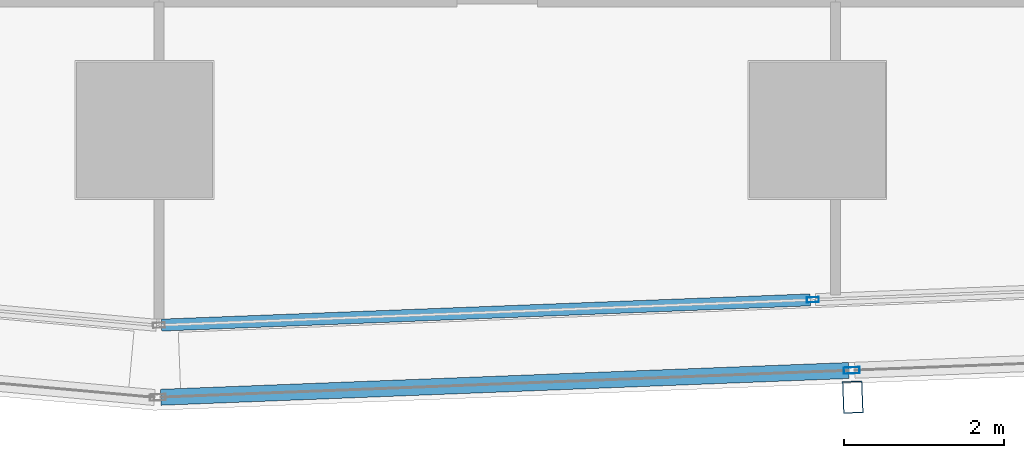
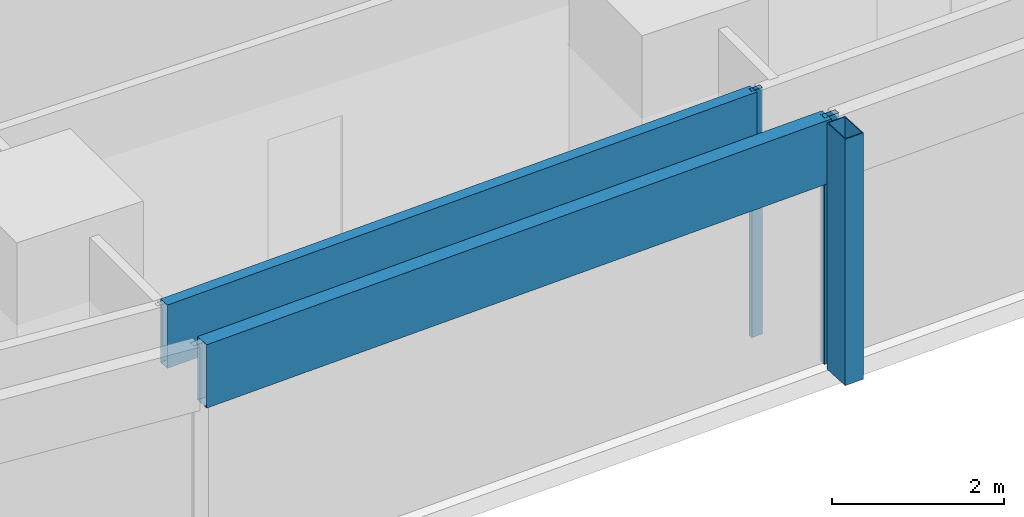
# One storey, part 6 of 40: 5 members, 2 elements without a shape of their own.
"""IFC4 building model written with IfcOpenShell, lengths in metres."""

import ifcopenshell
import ifcopenshell.guid

model = None  # the IFC model being written
_history = None  # IfcOwnerHistory: only IFC2X3 demands one
_inside = {}  # id of a spatial element -> (the spatial element, [elements in it])
_under = {}  # id of a project, library or spatial element -> (it, [spatial elements below it])
_declared = {}  # id of a project -> (the project, [libraries it declares])
_typed = {}  # id of a type object -> (the type object, [elements of that type])
_made_of = {}  # id of a material, layer set ... -> (it, [elements and type objects made of it])


def new_model(schema):
    """Start an empty IFC model of exactly this schema.

    Asked for "IFC4X3", IfcOpenShell would pick the latest addendum, in which some entities
    have other attributes; the version numbers below select the first issue.
    IFC2X3 requires an IfcOwnerHistory on every rooted entity: one is made here for all.
    """
    global model, _history
    if schema == "IFC4X3":
        model = ifcopenshell.file(schema_version=(4, 3, 0, 0))
    else:
        model = ifcopenshell.file(schema=schema)
    _inside.clear()
    _under.clear()
    _declared.clear()
    _typed.clear()
    _made_of.clear()
    _history = None
    if model.schema == "IFC2X3":
        org = make("IfcOrganization", Name="unknown")
        user = make(
            "IfcPersonAndOrganization",
            ThePerson=make("IfcPerson", FamilyName="unknown"),
            TheOrganization=org,
        )
        app = make(
            "IfcApplication",
            ApplicationDeveloper=org,
            Version="unknown",
            ApplicationFullName="unknown",
            ApplicationIdentifier="unknown",
        )
        _history = make(
            "IfcOwnerHistory",
            OwningUser=user,
            OwningApplication=app,
            ChangeAction="ADDED",
            CreationDate=0,
        )
    return model


def make(cls, **values):
    """One entity of the class cls with the attributes given. An attribute that is None is left unset."""
    return model.create_entity(
        cls, **{name: value for name, value in values.items() if value is not None}
    )


def rooted(cls, **values):
    """An entity with a GlobalId (a new one), such as an element, a storey or a relation."""
    return make(cls, GlobalId=ifcopenshell.guid.new(), OwnerHistory=_history, **values)


def si_unit(unit_type, name, prefix=None):
    """IfcSIUnit, for example si_unit("LENGTHUNIT", "METRE", prefix="MILLI")."""
    return make("IfcSIUnit", UnitType=unit_type, Prefix=prefix, Name=name)


def assignment(units):
    """IfcUnitAssignment: the units of a project."""
    return None if units is None else make("IfcUnitAssignment", Units=units)


def point(xyz):
    """IfcCartesianPoint."""
    return None if xyz is None else make("IfcCartesianPoint", Coordinates=xyz)


def direction(xyz):
    """IfcDirection."""
    return None if xyz is None else make("IfcDirection", DirectionRatios=xyz)


def frame(location, z_axis=None, x_axis=None):
    """IfcAxis2Placement3D, a coordinate frame: its origin and axes. An axis left out is left unset."""
    return make(
        "IfcAxis2Placement3D",
        Location=point(location),
        Axis=direction(z_axis),
        RefDirection=direction(x_axis),
    )


def frame_2d(location, x_axis=None):
    """IfcAxis2Placement2D, a coordinate frame in the plane: its origin and x axis."""
    return make(
        "IfcAxis2Placement2D", Location=point(location), RefDirection=direction(x_axis)
    )


def origin():
    """The frame at (0, 0, 0) with its axes left unset."""
    return frame((0.0, 0.0, 0.0))


def origin_2d():
    """The frame at (0, 0) in the plane with its x axis left unset."""
    return frame_2d((0.0, 0.0))


def place(relative_to, where):
    """IfcLocalPlacement: puts the frame where relative to a parent placement (None: the world)."""
    return make(
        "IfcLocalPlacement", PlacementRelTo=relative_to, RelativePlacement=where
    )


def context(
    kind, dimensions, precision=None, world=None, true_north=None, identifier=None
):
    """IfcGeometricRepresentationContext, for example the 3D "Model" context."""
    return make(
        "IfcGeometricRepresentationContext",
        ContextIdentifier=identifier,
        ContextType=kind,
        CoordinateSpaceDimension=dimensions,
        Precision=precision,
        WorldCoordinateSystem=world,
        TrueNorth=true_north,
    )


def subcontext(parent, identifier, kind, view, scale=None):
    """IfcGeometricRepresentationSubContext, for example "Body" below "Model"."""
    return make(
        "IfcGeometricRepresentationSubContext",
        ContextIdentifier=identifier,
        ContextType=kind,
        ParentContext=parent,
        TargetScale=scale,
        TargetView=view,
    )


def project(units=None, contexts=None):
    """IfcProject with its units and contexts."""
    return rooted(
        "IfcProject",
        Name="project",
        RepresentationContexts=contexts,
        UnitsInContext=assignment(units),
    )


def spatial(cls, under=None, at=None, **own):
    """A site, building, storey or space (cls), placed at a placement, below another one or the project."""
    s = rooted(cls, ObjectPlacement=at, **own)
    if under is not None:
        _under.setdefault(under.id(), (under, []))[1].append(s)
    return s


def profile(cls, at=None, kind="AREA", **sizes):
    """A parametric profile (cls). Its sizes go by their IFC names, for example OverallWidth=200.0."""
    return make(cls, ProfileType=kind, Position=at, **sizes)


def hollow_rectangle(**sizes):
    """IfcRectangleHollowProfileDef."""
    return profile("IfcRectangleHollowProfileDef", **sizes)


def extrude(swept, where, along, depth):
    """IfcExtrudedAreaSolid: the profile swept, set in the frame where, extruded along a direction by depth."""
    return make(
        "IfcExtrudedAreaSolid",
        SweptArea=swept,
        Position=where,
        ExtrudedDirection=direction(along),
        Depth=depth,
    )


def shape(context_of_items, identifier, shape_type, items):
    """IfcShapeRepresentation: the items that make up one representation, for example the "Body"."""
    return make(
        "IfcShapeRepresentation",
        ContextOfItems=context_of_items,
        RepresentationIdentifier=identifier,
        RepresentationType=shape_type,
        Items=items,
    )


def material(Name=None, Category=None):
    """IfcMaterial."""
    return make("IfcMaterial", Name=Name, Category=Category)


def material_profile(
    of_material, cross_section, Name=None, Category=None, Priority=None
):
    """IfcMaterialProfile: a cross section and its material."""
    return make(
        "IfcMaterialProfile",
        Name=Name,
        Material=of_material,
        Profile=cross_section,
        Priority=Priority,
        Category=Category,
    )


def profile_set(profiles, Name=None, composite=None):
    """IfcMaterialProfileSet."""
    return make(
        "IfcMaterialProfileSet",
        Name=Name,
        MaterialProfiles=profiles,
        CompositeProfile=composite,
    )


def made_of(thing, what):
    """Note that an element or type object is made of a material, layer set ...; save() writes the relation."""
    if what is not None:
        _made_of.setdefault(what.id(), (what, []))[1].append(thing)
    return thing


def type_object(cls, material=None, **own):
    """A type object (cls), such as IfcWallType, which elements share."""
    return made_of(rooted(cls, **own), material)


def element(
    cls,
    number,
    at=None,
    inside=None,
    cuts=None,
    type_object=None,
    material=None,
    context=None,
    identifier="Body",
    shape_type=None,
    held_by="IfcProductDefinitionShape",
    body=None,
    shapes=None,
    **own,
):
    """One element of the class cls, such as IfcWall. Its Tag is "e" and its number.

    at: its placement. inside: the storey or other place that contains it. cuts: it is an
    opening in that element (IfcRelVoidsElement). A single representation is given by context,
    identifier, shape_type and body (its items); several are given by shapes. held_by: the class
    of the entity that holds the representations. save() writes the other relations.
    """
    e = rooted(cls, Tag="e%d" % number, ObjectPlacement=at, **own)
    if body is not None:
        shapes = [shape(context, identifier, shape_type, body)]
    if shapes is not None:
        e.Representation = make(held_by, Representations=shapes)
    if inside is not None:
        _inside.setdefault(inside.id(), (inside, []))[1].append(e)
    if cuts is not None:
        rooted(
            "IfcRelVoidsElement", RelatingBuildingElement=cuts, RelatedOpeningElement=e
        )
    if type_object is not None:
        _typed.setdefault(type_object.id(), (type_object, []))[1].append(e)
    return made_of(e, material)


def aggregate(whole, parts):
    """IfcRelAggregates: a whole, such as a stair, and the parts it consists of."""
    return rooted("IfcRelAggregates", RelatingObject=whole, RelatedObjects=parts)


def save(model, path):
    """Write the relations noted so far, then the file.

    IfcRelAggregates (storeys below a building ...), IfcRelContainedInSpatialStructure (elements
    in a storey), IfcRelDefinesByType, IfcRelAssociatesMaterial and IfcRelDeclares: one each for
    every whole, place, type object, material and project.
    """
    for whole, parts in _under.values():
        aggregate(whole, parts)
    for where, things in _inside.values():
        rooted(
            "IfcRelContainedInSpatialStructure",
            RelatedElements=things,
            RelatingStructure=where,
        )
    for kind, things in _typed.values():
        rooted("IfcRelDefinesByType", RelatedObjects=things, RelatingType=kind)
    for what, things in _made_of.values():
        rooted("IfcRelAssociatesMaterial", RelatedObjects=things, RelatingMaterial=what)
    for by, libraries in _declared.values():
        rooted("IfcRelDeclares", RelatingContext=by, RelatedDefinitions=libraries)
    model.write(path)


model = new_model("IFC4")

# Units and contexts
model_context = context("Model", 3, precision=1e-05, world=origin(), true_north=direction((0.0, 1.0)))
body_context = subcontext(model_context, "Body", "Model", "MODEL_VIEW")
ifc_project = project(units=[si_unit("LENGTHUNIT", "METRE"), si_unit("AREAUNIT", "SQUARE_METRE"), si_unit("VOLUMEUNIT", "CUBIC_METRE"), si_unit("PLANEANGLEUNIT", "RADIAN"), si_unit("MASSUNIT", "GRAM", prefix="KILO")], contexts=[model_context])

# Site, building, storey
site_placement = place(None, origin())
site = spatial("IfcSite", under=ifc_project, at=site_placement, CompositionType="ELEMENT")
building_placement = place(site_placement, origin())
building = spatial("IfcBuilding", under=site, at=building_placement, Name="Rekha Terrace Tower", CompositionType="ELEMENT")
storey_placement = place(building_placement, frame((0.0, 0.0, 117.800048828125)))
storey = spatial("IfcBuildingStorey", under=building, at=storey_placement, Name="L29", CompositionType="ELEMENT", Elevation=117.800048828125)

# Curtain wall, member
ifc_material_1 = material(Name="Aluminium framing", Category="aluminium")
curtain_wall_type_1 = type_object("IfcCurtainWallType", Name="CW2 double skin outer glazing", PredefinedType="USERDEFINED", material=ifc_material_1)
curtain_wall_1_placement = place(storey_placement, origin())
curtain_wall_1 = element("IfcCurtainWall", 1, at=curtain_wall_1_placement, inside=storey, type_object=curtain_wall_type_1, Name="CW2 double skin outer glazing", ObjectType="DOUBLE SKIN OUTER GLAZING", PredefinedType="USERDEFINED")
ifc_material_2 = material(Name="Steel S355 with fluorocarbon finish", Category="steel")
ifc_material_profile_1 = material_profile(ifc_material_2, hollow_rectangle(XDim=0.25, YDim=0.39990234375, WallThickness=0.012451171875, at=origin_2d()), Name="RHS400x250x12.5")
ifc_profile_set_1 = profile_set([ifc_material_profile_1], Name="Steel S355 with fluorocarbon finish")
member_type_1 = type_object("IfcMemberType", Name="BL1 facade blade RHS 400 x 250", PredefinedType="USERDEFINED", material=ifc_profile_set_1)
member_1_placement = place(storey_placement, frame((34.042236328125, 13.46435546875, 0.0), z_axis=(0.0, 0.0, 1.0), x_axis=(0.999243494356, 0.038890088543, 0.0)))
member_1 = element("IfcMember", 2, at=member_1_placement, type_object=member_type_1, Name="Facade blade", ObjectType="FACADE BLADE", PredefinedType="USERDEFINED", context=body_context, shape_type="SweptSolid", body=[
    extrude(hollow_rectangle(XDim=0.25, YDim=0.39990234375, WallThickness=0.012451171875, at=origin_2d()), origin(), (0.0, 0.0, 1.0), 3.5),
])

# Curtain wall, members
curtain_wall_type_2 = type_object("IfcCurtainWallType", Name="CW1 double skin inner glazing", PredefinedType="USERDEFINED", material=ifc_material_1)
curtain_wall_2_placement = place(storey_placement, origin())
curtain_wall_2 = element("IfcCurtainWall", 3, at=curtain_wall_2_placement, inside=storey, type_object=curtain_wall_type_2, Name="CW1 double skin inner glazing", ObjectType="DOUBLE SKIN INNER GLAZING", PredefinedType="USERDEFINED")
ifc_material_3 = material(Name="Aluminium mullion section", Category="aluminium")
ifc_material_profile_2 = material_profile(ifc_material_3, hollow_rectangle(XDim=0.06494140625, YDim=0.14990234375, WallThickness=0.00390625, at=origin_2d()), Name="AL RHS 65x150")
ifc_profile_set_2 = profile_set([ifc_material_profile_2], Name="Aluminium mullion section")
member_type_2 = type_object("IfcMemberType", Name="CW1 mullion RHS 65 x 150", PredefinedType="MULLION", material=ifc_profile_set_2)
member_2_placement = place(storey_placement, frame((33.5439453125, 14.680908203125, 0.0), z_axis=(0.0, 0.0, 1.0), x_axis=(-0.038889971345, 0.999243498917, 0.0)))
member_2 = element("IfcMember", 4, at=member_2_placement, type_object=member_type_2, Name="CW1 mullion 2", PredefinedType="MULLION", context=body_context, shape_type="SweptSolid", body=[
    extrude(hollow_rectangle(XDim=0.06494140625, YDim=0.14990234375, WallThickness=0.00390625, at=origin_2d()), origin(), (0.0, 0.0, 1.0), 3.5),
])
ifc_material_4 = material(Name="Insulated aluminium spandrel box", Category="aluminium")
ifc_material_profile_3 = material_profile(ifc_material_4, hollow_rectangle(XDim=0.14990234375, YDim=0.89990234375, WallThickness=0.0029296875, at=origin_2d()), Name="AL SPANDREL BOX 150x900")
ifc_profile_set_3 = profile_set([ifc_material_profile_3], Name="Insulated aluminium spandrel box")
member_type_3 = type_object("IfcMemberType", Name="CW1 spandrel transom 150 x 900", PredefinedType="USERDEFINED", material=ifc_profile_set_3)
member_3_placement = place(storey_placement, frame((25.412353515625, 14.364501953125, 3.050048828125), z_axis=(0.999243630757, 0.038886583689, 0.0), x_axis=(-0.038886583689, 0.999243630757, 0.0)))
member_3 = element("IfcMember", 5, at=member_3_placement, type_object=member_type_3, Name="CW1 spandrel transom 1", ObjectType="TRANSOM", PredefinedType="USERDEFINED", context=body_context, shape_type="SweptSolid", body=[
    extrude(hollow_rectangle(XDim=0.14990234375, YDim=0.89990234375, WallThickness=0.0029296875, at=origin_2d()), origin(), (0.0, 0.0, 1.0), 8.105224609375),
])
aggregate(curtain_wall_2, [member_2, member_3])

# Member
ifc_material_profile_4 = material_profile(ifc_material_3, hollow_rectangle(XDim=0.080078125, YDim=0.199951171875, WallThickness=0.00390625, at=origin_2d()), Name="AL RHS 80x200")
ifc_profile_set_4 = profile_set([ifc_material_profile_4], Name="Aluminium mullion section")
member_type_4 = type_object("IfcMemberType", Name="CW2 mullion RHS 80 x 200", PredefinedType="MULLION", material=ifc_profile_set_4)
member_4_placement = place(storey_placement, frame((34.029052734375, 13.799072265625, 0.0), z_axis=(0.0, 0.0, 1.0), x_axis=(-0.038889971345, 0.999243498917, 0.0)))
member_4 = element("IfcMember", 6, at=member_4_placement, type_object=member_type_4, Name="CW2 mullion 2", PredefinedType="MULLION", context=body_context, shape_type="SweptSolid", body=[
    extrude(hollow_rectangle(XDim=0.080078125, YDim=0.199951171875, WallThickness=0.00390625, at=origin_2d()), origin(), (0.0, 0.0, 1.0), 3.5),
])

ifc_material_profile_5 = material_profile(ifc_material_4, hollow_rectangle(XDim=0.199951171875, YDim=0.89990234375, WallThickness=0.0029296875, at=origin_2d()), Name="AL SPANDREL BOX 200x900")
ifc_profile_set_5 = profile_set([ifc_material_profile_5], Name="Insulated aluminium spandrel box")
member_type_5 = type_object("IfcMemberType", Name="CW2 spandrel transom 200 x 900", PredefinedType="USERDEFINED", material=ifc_profile_set_5)
member_5_placement = place(storey_placement, frame((25.404052734375, 13.46337890625, 3.050048828125), z_axis=(0.999243058466, 0.038901286707, 0.0), x_axis=(-0.038901286707, 0.999243058466, 0.0)))
member_5 = element("IfcMember", 7, at=member_5_placement, type_object=member_type_5, Name="CW2 spandrel transom 1", ObjectType="TRANSOM", PredefinedType="USERDEFINED", context=body_context, shape_type="SweptSolid", body=[
    extrude(hollow_rectangle(XDim=0.199951171875, YDim=0.89990234375, WallThickness=0.0029296875, at=origin_2d()), origin(), (0.0, 0.0, 1.0), 8.591796875),
])

aggregate(curtain_wall_1, [member_4, member_5, member_1])

save(model, "model.ifc")
